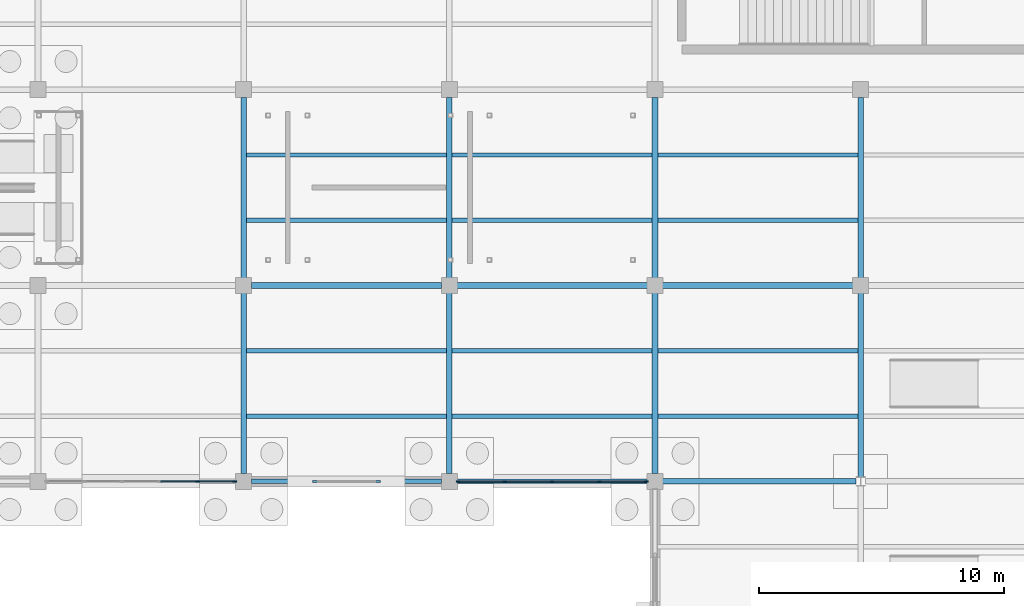
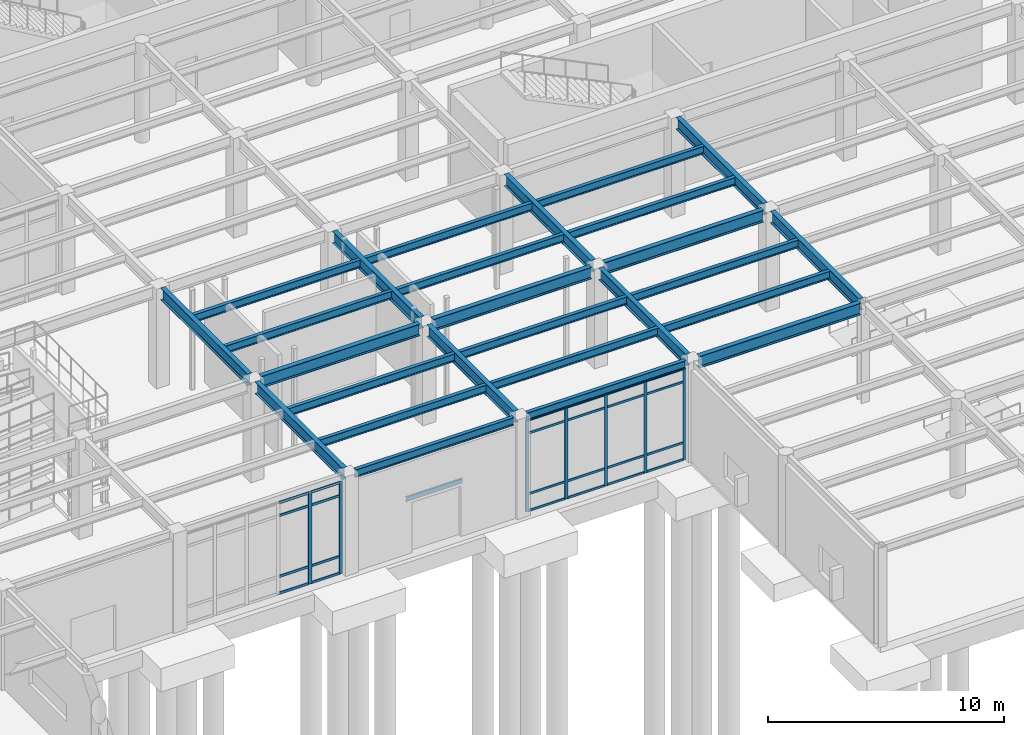
# One storey, part 25 of 138: 31 members, 27 beams, 2 elements without a shape of their own.
"""IFC4 building model written with IfcOpenShell, lengths in metres."""

from ifc_helpers import new_model, si_unit, direction, frame, origin, origin_2d, place, context, subcontext, project, spatial, rectangle, i_section, u_section, extrude, material, layer, layer_set, material_profile, profile_set, type_object, element, aggregate, save


model = new_model("IFC4")

# Units and contexts
model_context = context("Model", 3, precision=1e-05, world=origin(), true_north=direction((0.0, 1.0)))
body_context = subcontext(model_context, "Body", "Model", "MODEL_VIEW")
ifc_project = project(units=[si_unit("LENGTHUNIT", "METRE"), si_unit("AREAUNIT", "SQUARE_METRE"), si_unit("VOLUMEUNIT", "CUBIC_METRE"), si_unit("PLANEANGLEUNIT", "RADIAN"), si_unit("MASSUNIT", "GRAM", prefix="KILO")], contexts=[model_context])

# Site, building, storey
site_placement = place(None, origin())
site = spatial("IfcSite", under=ifc_project, at=site_placement, CompositionType="ELEMENT")
building_placement = place(site_placement, origin())
building = spatial("IfcBuilding", under=site, at=building_placement, Name="Kranzveld Transit Interchange", CompositionType="ELEMENT")
storey_placement = place(building_placement, origin())
storey = spatial("IfcBuildingStorey", under=building, at=storey_placement, Name="L00", CompositionType="ELEMENT", Elevation=0.0)

# Curtain wall, members
ifc_material_1 = material(Name="Bronze-anodised thermally broken aluminium", Category="aluminium")
ifc_layer_1 = layer(ifc_material_1, 0.159912109375)
ifc_layer_set_1 = layer_set([ifc_layer_1], Name="Bronze-anodised thermally broken aluminium")
curtain_wall_type_1 = type_object("IfcCurtainWallType", Name="Bus Boarding Glazed Screen CW-3", PredefinedType="USERDEFINED", material=ifc_layer_set_1)
curtain_wall_1_placement = place(storey_placement, origin())
curtain_wall_1 = element("IfcCurtainWall", 1, at=curtain_wall_1_placement, inside=storey, type_object=curtain_wall_type_1, Name="L00 Curtain Wall 06/C-07/C", ObjectType="CURTAIN WALL", PredefinedType="USERDEFINED")
ifc_material_2 = material(Name="Bronze-anodised thermally broken aluminium", Category="aluminium")
ifc_material_profile_1 = material_profile(ifc_material_2, rectangle(XDim=0.06005859375, YDim=0.14990234375, at=origin_2d()), Name="ALU MULLION 60x150")
ifc_profile_set_1 = profile_set([ifc_material_profile_1], Name="Bronze-anodised thermally broken aluminium")
member_type_1 = type_object("IfcMemberType", Name="Curtain Wall Mullion 60x150 Alu", PredefinedType="MULLION", material=ifc_profile_set_1)
member_1_placement = place(storey_placement, frame((42.35498046875, 16.0, 0.0), z_axis=(0.0, 0.0, 1.0), x_axis=(0.0, 1.0, 0.0)))
member_1 = element("IfcMember", 2, at=member_1_placement, type_object=member_type_1, Name="CW-3 mullion 1", PredefinedType="MULLION", context=body_context, shape_type="SweptSolid", body=[
    extrude(rectangle(XDim=0.06005859375, YDim=0.14990234375, at=origin_2d()), origin(), (0.0, 0.0, 1.0), 4.740478515625),
])
member_2_placement = place(storey_placement, frame((44.262451171875, 16.0, 0.0), z_axis=(0.0, 0.0, 1.0), x_axis=(0.0, 1.0, 0.0)))
member_2 = element("IfcMember", 3, at=member_2_placement, type_object=member_type_1, Name="CW-3 mullion 2", PredefinedType="MULLION", context=body_context, shape_type="SweptSolid", body=[
    extrude(rectangle(XDim=0.06005859375, YDim=0.14990234375, at=origin_2d()), origin(), (0.0, 0.0, 1.0), 4.740478515625),
])
member_3_placement = place(storey_placement, frame((46.199951171875, 16.0, 0.0), z_axis=(0.0, 0.0, 1.0), x_axis=(0.0, 1.0, 0.0)))
member_3 = element("IfcMember", 4, at=member_3_placement, type_object=member_type_1, Name="CW-3 mullion 3", PredefinedType="MULLION", context=body_context, shape_type="SweptSolid", body=[
    extrude(rectangle(XDim=0.06005859375, YDim=0.14990234375, at=origin_2d()), origin(), (0.0, 0.0, 1.0), 4.740478515625),
])
member_4_placement = place(storey_placement, frame((48.137451171875, 16.0, 0.0), z_axis=(0.0, 0.0, 1.0), x_axis=(0.0, 1.0, 0.0)))
member_4 = element("IfcMember", 5, at=member_4_placement, type_object=member_type_1, Name="CW-3 mullion 4", PredefinedType="MULLION", context=body_context, shape_type="SweptSolid", body=[
    extrude(rectangle(XDim=0.06005859375, YDim=0.14990234375, at=origin_2d()), origin(), (0.0, 0.0, 1.0), 4.740478515625),
])
member_5_placement = place(storey_placement, frame((50.044921875, 16.0, 0.0), z_axis=(0.0, 0.0, 1.0), x_axis=(0.0, 1.0, 0.0)))
member_5 = element("IfcMember", 6, at=member_5_placement, type_object=member_type_1, Name="CW-3 mullion 5", PredefinedType="MULLION", context=body_context, shape_type="SweptSolid", body=[
    extrude(rectangle(XDim=0.06005859375, YDim=0.14990234375, at=origin_2d()), origin(), (0.0, 0.0, 1.0), 4.740478515625),
])

ifc_material_3 = material(Name="Bronze-anodised thermally broken aluminium", Category="aluminium")
ifc_layer_2 = layer(ifc_material_3, 0.1650390625)
ifc_layer_set_2 = layer_set([ifc_layer_2], Name="Bronze-anodised thermally broken aluminium")
curtain_wall_type_2 = type_object("IfcCurtainWallType", Name="Sunny Court Arcade Curtain Wall CW-2", PredefinedType="USERDEFINED", material=ifc_layer_set_2)
curtain_wall_2_placement = place(storey_placement, origin())
curtain_wall_2 = element("IfcCurtainWall", 7, at=curtain_wall_2_placement, inside=storey, type_object=curtain_wall_type_2, Name="L00 Curtain Wall 04/C-05/C", ObjectType="CURTAIN WALL", PredefinedType="USERDEFINED")
ifc_material_4 = material(Name="Bronze-anodised thermally broken aluminium", Category="aluminium")
ifc_material_profile_2 = material_profile(ifc_material_4, rectangle(XDim=0.06494140625, YDim=0.1650390625, at=origin_2d()), Name="ALU MULLION 65x165")
ifc_profile_set_2 = profile_set([ifc_material_profile_2], Name="Bronze-anodised thermally broken aluminium")
member_type_2 = type_object("IfcMemberType", Name="Curtain Wall Mullion 65x165 Alu", PredefinedType="MULLION", material=ifc_profile_set_2)
member_6_placement = place(storey_placement, frame((31.72509765625, 16.0, 0.0), z_axis=(0.0, 0.0, 1.0), x_axis=(0.0, 1.0, 0.0)))
member_6 = element("IfcMember", 8, at=member_6_placement, type_object=member_type_2, Name="CW-2 mullion 5", PredefinedType="MULLION", context=body_context, shape_type="SweptSolid", body=[
    extrude(rectangle(XDim=0.06494140625, YDim=0.1650390625, at=origin_2d()), origin(), (0.0, 0.0, 1.0), 4.740478515625),
])
member_7_placement = place(storey_placement, frame((33.242431640625, 16.0, 0.0), z_axis=(0.0, 0.0, 1.0), x_axis=(0.0, 1.0, 0.0)))
member_7 = element("IfcMember", 9, at=member_7_placement, type_object=member_type_2, Name="CW-2 mullion 6", PredefinedType="MULLION", context=body_context, shape_type="SweptSolid", body=[
    extrude(rectangle(XDim=0.06494140625, YDim=0.1650390625, at=origin_2d()), origin(), (0.0, 0.0, 1.0), 4.740478515625),
])

# Member
ifc_material_5 = material(Name="Bronze-anodised thermally broken aluminium", Category="aluminium")
ifc_material_profile_3 = material_profile(ifc_material_5, rectangle(XDim=0.06005859375, YDim=0.110107421875, at=origin_2d()), Name="ALU TRANSOM 60x110")
ifc_profile_set_3 = profile_set([ifc_material_profile_3], Name="Bronze-anodised thermally broken aluminium")
member_type_3 = type_object("IfcMemberType", Name="Curtain Wall Transom 60x110 Alu", PredefinedType="USERDEFINED", material=ifc_profile_set_3)
member_8_placement = place(storey_placement, frame((42.385009765625, 16.0, 0.030029296875), z_axis=(1.0, 0.0, 0.0), x_axis=(0.0, 1.0, 0.0)))
member_8 = element("IfcMember", 10, at=member_8_placement, type_object=member_type_3, Name="CW-3 transom 1.1", ObjectType="TRANSOM", PredefinedType="USERDEFINED", context=body_context, shape_type="SweptSolid", body=[
    extrude(rectangle(XDim=0.06005859375, YDim=0.110107421875, at=origin_2d()), origin(), (0.0, 0.0, 1.0), 1.847412109375),
])

member_9_placement = place(storey_placement, frame((42.385009765625, 16.0, 0.89990234375), z_axis=(1.0, 0.0, 0.0), x_axis=(0.0, 1.0, 0.0)))
member_9 = element("IfcMember", 11, at=member_9_placement, type_object=member_type_3, Name="CW-3 transom 1.2", ObjectType="TRANSOM", PredefinedType="USERDEFINED", context=body_context, shape_type="SweptSolid", body=[
    extrude(rectangle(XDim=0.06005859375, YDim=0.110107421875, at=origin_2d()), origin(), (0.0, 0.0, 1.0), 1.847412109375),
])

member_10_placement = place(storey_placement, frame((42.385009765625, 16.0, 4.04052734375), z_axis=(1.0, 0.0, 0.0), x_axis=(0.0, 1.0, 0.0)))
member_10 = element("IfcMember", 12, at=member_10_placement, type_object=member_type_3, Name="CW-3 transom 1.3", ObjectType="TRANSOM", PredefinedType="USERDEFINED", context=body_context, shape_type="SweptSolid", body=[
    extrude(rectangle(XDim=0.06005859375, YDim=0.110107421875, at=origin_2d()), origin(), (0.0, 0.0, 1.0), 1.847412109375),
])

member_11_placement = place(storey_placement, frame((42.385009765625, 16.0, 4.710693359375), z_axis=(1.0, 0.0, 0.0), x_axis=(0.0, 1.0, 0.0)))
member_11 = element("IfcMember", 13, at=member_11_placement, type_object=member_type_3, Name="CW-3 transom 1.4", ObjectType="TRANSOM", PredefinedType="USERDEFINED", context=body_context, shape_type="SweptSolid", body=[
    extrude(rectangle(XDim=0.06005859375, YDim=0.110107421875, at=origin_2d()), origin(), (0.0, 0.0, 1.0), 1.847412109375),
])

member_12_placement = place(storey_placement, frame((44.29248046875, 16.0, 0.030029296875), z_axis=(1.0, 0.0, 0.0), x_axis=(0.0, 1.0, 0.0)))
member_12 = element("IfcMember", 14, at=member_12_placement, type_object=member_type_3, Name="CW-3 transom 2.1", ObjectType="TRANSOM", PredefinedType="USERDEFINED", context=body_context, shape_type="SweptSolid", body=[
    extrude(rectangle(XDim=0.06005859375, YDim=0.110107421875, at=origin_2d()), origin(), (0.0, 0.0, 1.0), 1.87744140625),
])

member_13_placement = place(storey_placement, frame((44.29248046875, 16.0, 0.89990234375), z_axis=(1.0, 0.0, 0.0), x_axis=(0.0, 1.0, 0.0)))
member_13 = element("IfcMember", 15, at=member_13_placement, type_object=member_type_3, Name="CW-3 transom 2.2", ObjectType="TRANSOM", PredefinedType="USERDEFINED", context=body_context, shape_type="SweptSolid", body=[
    extrude(rectangle(XDim=0.06005859375, YDim=0.110107421875, at=origin_2d()), origin(), (0.0, 0.0, 1.0), 1.87744140625),
])

member_14_placement = place(storey_placement, frame((44.29248046875, 16.0, 4.04052734375), z_axis=(1.0, 0.0, 0.0), x_axis=(0.0, 1.0, 0.0)))
member_14 = element("IfcMember", 16, at=member_14_placement, type_object=member_type_3, Name="CW-3 transom 2.3", ObjectType="TRANSOM", PredefinedType="USERDEFINED", context=body_context, shape_type="SweptSolid", body=[
    extrude(rectangle(XDim=0.06005859375, YDim=0.110107421875, at=origin_2d()), origin(), (0.0, 0.0, 1.0), 1.87744140625),
])

member_15_placement = place(storey_placement, frame((44.29248046875, 16.0, 4.710693359375), z_axis=(1.0, 0.0, 0.0), x_axis=(0.0, 1.0, 0.0)))
member_15 = element("IfcMember", 17, at=member_15_placement, type_object=member_type_3, Name="CW-3 transom 2.4", ObjectType="TRANSOM", PredefinedType="USERDEFINED", context=body_context, shape_type="SweptSolid", body=[
    extrude(rectangle(XDim=0.06005859375, YDim=0.110107421875, at=origin_2d()), origin(), (0.0, 0.0, 1.0), 1.87744140625),
])

member_16_placement = place(storey_placement, frame((46.22998046875, 16.0, 0.030029296875), z_axis=(1.0, 0.0, 0.0), x_axis=(0.0, 1.0, 0.0)))
member_16 = element("IfcMember", 18, at=member_16_placement, type_object=member_type_3, Name="CW-3 transom 3.1", ObjectType="TRANSOM", PredefinedType="USERDEFINED", context=body_context, shape_type="SweptSolid", body=[
    extrude(rectangle(XDim=0.06005859375, YDim=0.110107421875, at=origin_2d()), origin(), (0.0, 0.0, 1.0), 1.87744140625),
])

member_17_placement = place(storey_placement, frame((46.22998046875, 16.0, 0.89990234375), z_axis=(1.0, 0.0, 0.0), x_axis=(0.0, 1.0, 0.0)))
member_17 = element("IfcMember", 19, at=member_17_placement, type_object=member_type_3, Name="CW-3 transom 3.2", ObjectType="TRANSOM", PredefinedType="USERDEFINED", context=body_context, shape_type="SweptSolid", body=[
    extrude(rectangle(XDim=0.06005859375, YDim=0.110107421875, at=origin_2d()), origin(), (0.0, 0.0, 1.0), 1.87744140625),
])

member_18_placement = place(storey_placement, frame((46.22998046875, 16.0, 4.04052734375), z_axis=(1.0, 0.0, 0.0), x_axis=(0.0, 1.0, 0.0)))
member_18 = element("IfcMember", 20, at=member_18_placement, type_object=member_type_3, Name="CW-3 transom 3.3", ObjectType="TRANSOM", PredefinedType="USERDEFINED", context=body_context, shape_type="SweptSolid", body=[
    extrude(rectangle(XDim=0.06005859375, YDim=0.110107421875, at=origin_2d()), origin(), (0.0, 0.0, 1.0), 1.87744140625),
])

member_19_placement = place(storey_placement, frame((46.22998046875, 16.0, 4.710693359375), z_axis=(1.0, 0.0, 0.0), x_axis=(0.0, 1.0, 0.0)))
member_19 = element("IfcMember", 21, at=member_19_placement, type_object=member_type_3, Name="CW-3 transom 3.4", ObjectType="TRANSOM", PredefinedType="USERDEFINED", context=body_context, shape_type="SweptSolid", body=[
    extrude(rectangle(XDim=0.06005859375, YDim=0.110107421875, at=origin_2d()), origin(), (0.0, 0.0, 1.0), 1.87744140625),
])

member_20_placement = place(storey_placement, frame((48.16748046875, 16.0, 0.030029296875), z_axis=(1.0, 0.0, 0.0), x_axis=(0.0, 1.0, 0.0)))
member_20 = element("IfcMember", 22, at=member_20_placement, type_object=member_type_3, Name="CW-3 transom 4.1", ObjectType="TRANSOM", PredefinedType="USERDEFINED", context=body_context, shape_type="SweptSolid", body=[
    extrude(rectangle(XDim=0.06005859375, YDim=0.110107421875, at=origin_2d()), origin(), (0.0, 0.0, 1.0), 1.847412109375),
])

member_21_placement = place(storey_placement, frame((48.16748046875, 16.0, 0.89990234375), z_axis=(1.0, 0.0, 0.0), x_axis=(0.0, 1.0, 0.0)))
member_21 = element("IfcMember", 23, at=member_21_placement, type_object=member_type_3, Name="CW-3 transom 4.2", ObjectType="TRANSOM", PredefinedType="USERDEFINED", context=body_context, shape_type="SweptSolid", body=[
    extrude(rectangle(XDim=0.06005859375, YDim=0.110107421875, at=origin_2d()), origin(), (0.0, 0.0, 1.0), 1.847412109375),
])

member_22_placement = place(storey_placement, frame((48.16748046875, 16.0, 4.04052734375), z_axis=(1.0, 0.0, 0.0), x_axis=(0.0, 1.0, 0.0)))
member_22 = element("IfcMember", 24, at=member_22_placement, type_object=member_type_3, Name="CW-3 transom 4.3", ObjectType="TRANSOM", PredefinedType="USERDEFINED", context=body_context, shape_type="SweptSolid", body=[
    extrude(rectangle(XDim=0.06005859375, YDim=0.110107421875, at=origin_2d()), origin(), (0.0, 0.0, 1.0), 1.847412109375),
])

member_23_placement = place(storey_placement, frame((48.16748046875, 16.0, 4.710693359375), z_axis=(1.0, 0.0, 0.0), x_axis=(0.0, 1.0, 0.0)))
member_23 = element("IfcMember", 25, at=member_23_placement, type_object=member_type_3, Name="CW-3 transom 4.4", ObjectType="TRANSOM", PredefinedType="USERDEFINED", context=body_context, shape_type="SweptSolid", body=[
    extrude(rectangle(XDim=0.06005859375, YDim=0.110107421875, at=origin_2d()), origin(), (0.0, 0.0, 1.0), 1.847412109375),
])

aggregate(curtain_wall_1, [member_1, member_2, member_3, member_4, member_5, member_8, member_9, member_10, member_11, member_12, member_13, member_14, member_15, member_16, member_17, member_18, member_19, member_20, member_21, member_22, member_23])

ifc_material_6 = material(Name="Bronze-anodised thermally broken aluminium", Category="aluminium")
ifc_material_profile_4 = material_profile(ifc_material_6, rectangle(XDim=0.06005859375, YDim=0.125, at=origin_2d()), Name="ALU TRANSOM 60x125")
ifc_profile_set_4 = profile_set([ifc_material_profile_4], Name="Bronze-anodised thermally broken aluminium")
member_type_4 = type_object("IfcMemberType", Name="Curtain Wall Transom 60x125 Alu", PredefinedType="USERDEFINED", material=ifc_profile_set_4)
member_24_placement = place(storey_placement, frame((30.20751953125, 16.0, 0.030029296875), z_axis=(1.0, 0.0, 0.0), x_axis=(0.0, 1.0, 0.0)))
member_24 = element("IfcMember", 26, at=member_24_placement, type_object=member_type_4, Name="CW-2 transom 4.1", ObjectType="TRANSOM", PredefinedType="USERDEFINED", context=body_context, shape_type="SweptSolid", body=[
    extrude(rectangle(XDim=0.06005859375, YDim=0.125, at=origin_2d()), origin(), (0.0, 0.0, 1.0), 1.48486328125),
])

member_25_placement = place(storey_placement, frame((30.20751953125, 16.0, 0.89990234375), z_axis=(1.0, 0.0, 0.0), x_axis=(0.0, 1.0, 0.0)))
member_25 = element("IfcMember", 27, at=member_25_placement, type_object=member_type_4, Name="CW-2 transom 4.2", ObjectType="TRANSOM", PredefinedType="USERDEFINED", context=body_context, shape_type="SweptSolid", body=[
    extrude(rectangle(XDim=0.06005859375, YDim=0.125, at=origin_2d()), origin(), (0.0, 0.0, 1.0), 1.48486328125),
])

member_26_placement = place(storey_placement, frame((30.20751953125, 16.0, 4.04052734375), z_axis=(1.0, 0.0, 0.0), x_axis=(0.0, 1.0, 0.0)))
member_26 = element("IfcMember", 28, at=member_26_placement, type_object=member_type_4, Name="CW-2 transom 4.3", ObjectType="TRANSOM", PredefinedType="USERDEFINED", context=body_context, shape_type="SweptSolid", body=[
    extrude(rectangle(XDim=0.06005859375, YDim=0.125, at=origin_2d()), origin(), (0.0, 0.0, 1.0), 1.48486328125),
])

member_27_placement = place(storey_placement, frame((30.20751953125, 16.0, 4.710693359375), z_axis=(1.0, 0.0, 0.0), x_axis=(0.0, 1.0, 0.0)))
member_27 = element("IfcMember", 29, at=member_27_placement, type_object=member_type_4, Name="CW-2 transom 4.4", ObjectType="TRANSOM", PredefinedType="USERDEFINED", context=body_context, shape_type="SweptSolid", body=[
    extrude(rectangle(XDim=0.06005859375, YDim=0.125, at=origin_2d()), origin(), (0.0, 0.0, 1.0), 1.48486328125),
])

member_28_placement = place(storey_placement, frame((31.757568359375, 16.0, 0.030029296875), z_axis=(1.0, 0.0, 0.0), x_axis=(0.0, 1.0, 0.0)))
member_28 = element("IfcMember", 30, at=member_28_placement, type_object=member_type_4, Name="CW-2 transom 5.1", ObjectType="TRANSOM", PredefinedType="USERDEFINED", context=body_context, shape_type="SweptSolid", body=[
    extrude(rectangle(XDim=0.06005859375, YDim=0.125, at=origin_2d()), origin(), (0.0, 0.0, 1.0), 1.452392578125),
])

member_29_placement = place(storey_placement, frame((31.757568359375, 16.0, 0.89990234375), z_axis=(1.0, 0.0, 0.0), x_axis=(0.0, 1.0, 0.0)))
member_29 = element("IfcMember", 31, at=member_29_placement, type_object=member_type_4, Name="CW-2 transom 5.2", ObjectType="TRANSOM", PredefinedType="USERDEFINED", context=body_context, shape_type="SweptSolid", body=[
    extrude(rectangle(XDim=0.06005859375, YDim=0.125, at=origin_2d()), origin(), (0.0, 0.0, 1.0), 1.452392578125),
])

member_30_placement = place(storey_placement, frame((31.757568359375, 16.0, 4.04052734375), z_axis=(1.0, 0.0, 0.0), x_axis=(0.0, 1.0, 0.0)))
member_30 = element("IfcMember", 32, at=member_30_placement, type_object=member_type_4, Name="CW-2 transom 5.3", ObjectType="TRANSOM", PredefinedType="USERDEFINED", context=body_context, shape_type="SweptSolid", body=[
    extrude(rectangle(XDim=0.06005859375, YDim=0.125, at=origin_2d()), origin(), (0.0, 0.0, 1.0), 1.452392578125),
])

member_31_placement = place(storey_placement, frame((31.757568359375, 16.0, 4.710693359375), z_axis=(1.0, 0.0, 0.0), x_axis=(0.0, 1.0, 0.0)))
member_31 = element("IfcMember", 33, at=member_31_placement, type_object=member_type_4, Name="CW-2 transom 5.4", ObjectType="TRANSOM", PredefinedType="USERDEFINED", context=body_context, shape_type="SweptSolid", body=[
    extrude(rectangle(XDim=0.06005859375, YDim=0.125, at=origin_2d()), origin(), (0.0, 0.0, 1.0), 1.452392578125),
])

aggregate(curtain_wall_2, [member_6, member_7, member_24, member_25, member_26, member_27, member_28, member_29, member_30, member_31])

# Beams
ifc_material_7 = material(Name="Steel S355JR", Category="steel")
ifc_material_profile_5 = material_profile(ifc_material_7, i_section(OverallWidth=0.1787109375, OverallDepth=0.409423828125, WebThickness=0.0087890625, FlangeThickness=0.014404296875, FilletRadius=0.01025390625, at=origin_2d()), Name="UB 406x178x67")
ifc_profile_set_5 = profile_set([ifc_material_profile_5], Name="Steel S355JR")
beam_type_1 = type_object("IfcBeamType", Name="Facade Spandrel UB 406x178x67 S355JR", PredefinedType="SPANDREL", material=ifc_profile_set_5)
for number, where, z_axis, x_axis, name in (
    (34, (33.9150390625, 16.0, 4.9453125), (1.0, 0.0, 0.0), (0.0, 1.0, 0.0), "L00 Girder 05-06/C"),
    (35, (42.31494140625, 16.0, 4.9453125), (1.0, 0.0, 0.0), (0.0, 1.0, 0.0), "L00 Girder 06-07/C"),
):
    element("IfcBeam", number, at=place(storey_placement, frame(where, z_axis=z_axis, x_axis=x_axis)), inside=storey, type_object=beam_type_1, Name=name, PredefinedType="SPANDREL", context=body_context, shape_type="SweptSolid", body=[
        extrude(i_section(OverallWidth=0.1787109375, OverallDepth=0.409423828125, WebThickness=0.0087890625, FlangeThickness=0.014404296875, FilletRadius=0.01025390625, at=origin_2d()), origin(), (0.0, 0.0, 1.0), 7.77001953125),
    ])
ifc_material_8 = material(Name="Steel S355JR", Category="steel")
ifc_material_profile_6 = material_profile(ifc_material_8, i_section(OverallWidth=0.177734375, OverallDepth=0.402587890625, WebThickness=0.0078125, FlangeThickness=0.010986328125, FilletRadius=0.01025390625, at=origin_2d()), Name="UB 406x178x54")
ifc_profile_set_6 = profile_set([ifc_material_profile_6], Name="Steel S355JR")
beam_type_2 = type_object("IfcBeamType", Name="Floor Joist UB 406x178x54 S355JR", PredefinedType="JOIST", material=ifc_profile_set_6)
for number, where, z_axis, x_axis, name in (
    (36, (33.716064453125, 18.666748046875, 4.94873046875), (1.0, 0.0, 0.0), (0.0, 1.0, 0.0), "L00 Secondary Joist 05-06/C.1"),
    (37, (33.716064453125, 21.333251953125, 4.94873046875), (1.0, 0.0, 0.0), (0.0, 1.0, 0.0), "L00 Secondary Joist 05-06/C.2"),
    (38, (33.716064453125, 26.666748046875, 4.94873046875), (1.0, 0.0, 0.0), (0.0, 1.0, 0.0), "L00 Secondary Joist 05-06/D.1"),
    (39, (33.716064453125, 29.333251953125, 4.94873046875), (1.0, 0.0, 0.0), (0.0, 1.0, 0.0), "L00 Secondary Joist 05-06/D.2"),
    (40, (42.1162109375, 18.666748046875, 4.94873046875), (1.0, 0.0, 0.0), (0.0, 1.0, 0.0), "L00 Secondary Joist 06-07/C.1"),
    (41, (42.1162109375, 21.333251953125, 4.94873046875), (1.0, 0.0, 0.0), (0.0, 1.0, 0.0), "L00 Secondary Joist 06-07/C.2"),
    (42, (42.1162109375, 26.666748046875, 4.94873046875), (1.0, 0.0, 0.0), (0.0, 1.0, 0.0), "L00 Secondary Joist 06-07/D.1"),
    (43, (42.1162109375, 29.333251953125, 4.94873046875), (1.0, 0.0, 0.0), (0.0, 1.0, 0.0), "L00 Secondary Joist 06-07/D.2"),
    (44, (50.51611328125, 18.666748046875, 4.94873046875), (1.0, 0.0, 0.0), (0.0, 1.0, 0.0), "L00 Secondary Joist 07-08/C.1"),
    (45, (50.51611328125, 21.333251953125, 4.94873046875), (1.0, 0.0, 0.0), (0.0, 1.0, 0.0), "L00 Secondary Joist 07-08/C.2"),
    (46, (50.51611328125, 26.666748046875, 4.94873046875), (1.0, 0.0, 0.0), (0.0, 1.0, 0.0), "L00 Secondary Joist 07-08/D.1"),
    (47, (50.51611328125, 29.333251953125, 4.94873046875), (1.0, 0.0, 0.0), (0.0, 1.0, 0.0), "L00 Secondary Joist 07-08/D.2"),
):
    element("IfcBeam", number, at=place(storey_placement, frame(where, z_axis=z_axis, x_axis=x_axis)), inside=storey, type_object=beam_type_2, Name=name, PredefinedType="JOIST", context=body_context, shape_type="SweptSolid", body=[
        extrude(i_section(OverallWidth=0.177734375, OverallDepth=0.402587890625, WebThickness=0.0078125, FlangeThickness=0.010986328125, FilletRadius=0.01025390625, at=origin_2d()), origin(), (0.0, 0.0, 1.0), 8.167724609375),
    ])
ifc_material_9 = material(Name="Steel S355JR", Category="steel")
ifc_material_profile_7 = material_profile(ifc_material_9, i_section(OverallWidth=0.228271484375, OverallDepth=0.607666015625, WebThickness=0.010986328125, FlangeThickness=0.017333984375, FilletRadius=0.0126953125, at=origin_2d()), Name="UB 610x229x113")
ifc_profile_set_7 = profile_set([ifc_material_profile_7], Name="Steel S355JR")
beam_type_3 = type_object("IfcBeamType", Name="Girder Steel UB 610x229x113 S355JR", PredefinedType="BEAM", material=ifc_profile_set_7)
for number, where, z_axis, x_axis, name in (
    (48, (33.60009765625, 16.31494140625, 4.84619140625), (0.0, 1.0, 0.0), (-1.0, 0.0, 0.0), "L00 Girder 05/C-D"),
    (49, (33.60009765625, 24.31494140625, 4.84619140625), (0.0, 1.0, 0.0), (-1.0, 0.0, 0.0), "L00 Girder 05/D-E"),
    (50, (42.0, 16.31494140625, 4.84619140625), (0.0, 1.0, 0.0), (-1.0, 0.0, 0.0), "L00 Girder 06/C-D"),
    (51, (42.0, 24.31494140625, 4.84619140625), (0.0, 1.0, 0.0), (-1.0, 0.0, 0.0), "L00 Girder 06/D-E"),
    (52, (50.39990234375, 16.31494140625, 4.84619140625), (0.0, 1.0, 0.0), (-1.0, 0.0, 0.0), "L00 Girder 07/C-D"),
    (53, (50.39990234375, 24.31494140625, 4.84619140625), (0.0, 1.0, 0.0), (-1.0, 0.0, 0.0), "L00 Girder 07/D-E"),
):
    element("IfcBeam", number, at=place(storey_placement, frame(where, z_axis=z_axis, x_axis=x_axis)), inside=storey, type_object=beam_type_3, Name=name, PredefinedType="BEAM", context=body_context, shape_type="SweptSolid", body=[
        extrude(i_section(OverallWidth=0.228271484375, OverallDepth=0.607666015625, WebThickness=0.010986328125, FlangeThickness=0.017333984375, FilletRadius=0.0126953125, at=origin_2d()), origin(), (0.0, 0.0, 1.0), 7.3701171875),
    ])
beam_1_placement = place(storey_placement, frame((58.800048828125, 16.186767578125, 4.84619140625), z_axis=(0.0, 1.0, 0.0), x_axis=(-1.0, 0.0, 0.0)))
element("IfcBeam", 54, at=beam_1_placement, inside=storey, type_object=beam_type_3, Name="L00 Girder 08/C-D", PredefinedType="BEAM", context=body_context, shape_type="SweptSolid", body=[
    extrude(i_section(OverallWidth=0.228271484375, OverallDepth=0.607666015625, WebThickness=0.010986328125, FlangeThickness=0.017333984375, FilletRadius=0.0126953125, at=origin_2d()), origin(), (0.0, 0.0, 1.0), 7.498291015625),
])
beam_2_placement = place(storey_placement, frame((58.800048828125, 24.31494140625, 4.84619140625), z_axis=(0.0, 1.0, 0.0), x_axis=(-1.0, 0.0, 0.0)))
element("IfcBeam", 55, at=beam_2_placement, inside=storey, type_object=beam_type_3, Name="L00 Girder 08/D-E", PredefinedType="BEAM", context=body_context, shape_type="SweptSolid", body=[
    extrude(i_section(OverallWidth=0.228271484375, OverallDepth=0.607666015625, WebThickness=0.010986328125, FlangeThickness=0.017333984375, FilletRadius=0.0126953125, at=origin_2d()), origin(), (0.0, 0.0, 1.0), 7.3701171875),
])
ifc_material_10 = material(Name="Steel S355JR", Category="steel")
ifc_material_profile_8 = material_profile(ifc_material_10, i_section(OverallWidth=0.230224609375, OverallDepth=0.6171875, WebThickness=0.01318359375, FlangeThickness=0.022216796875, FilletRadius=0.0126953125, at=origin_2d()), Name="UB 610x229x140")
ifc_profile_set_8 = profile_set([ifc_material_profile_8], Name="Steel S355JR")
beam_type_4 = type_object("IfcBeamType", Name="Girder Steel UB 610x229x140 S355JR", PredefinedType="BEAM", material=ifc_profile_set_8)
beam_3_placement = place(storey_placement, frame((50.715087890625, 16.0, 4.84130859375), z_axis=(1.0, 0.0, 0.0), x_axis=(0.0, 1.0, 0.0)))
element("IfcBeam", 56, at=beam_3_placement, inside=storey, type_object=beam_type_4, Name="L00 Girder 07-08/C", PredefinedType="BEAM", context=body_context, shape_type="SweptSolid", body=[
    extrude(i_section(OverallWidth=0.230224609375, OverallDepth=0.6171875, WebThickness=0.01318359375, FlangeThickness=0.022216796875, FilletRadius=0.0126953125, at=origin_2d()), origin(), (0.0, 0.0, 1.0), 7.8955078125),
])
for number, where, z_axis, x_axis, name in (
    (57, (33.9150390625, 24.0, 4.84130859375), (1.0, 0.0, 0.0), (0.0, 1.0, 0.0), "L00 Girder 05-06/D"),
    (58, (42.31494140625, 24.0, 4.84130859375), (1.0, 0.0, 0.0), (0.0, 1.0, 0.0), "L00 Girder 06-07/D"),
    (59, (50.715087890625, 24.0, 4.84130859375), (1.0, 0.0, 0.0), (0.0, 1.0, 0.0), "L00 Girder 07-08/D"),
):
    element("IfcBeam", number, at=place(storey_placement, frame(where, z_axis=z_axis, x_axis=x_axis)), inside=storey, type_object=beam_type_4, Name=name, PredefinedType="BEAM", context=body_context, shape_type="SweptSolid", body=[
        extrude(i_section(OverallWidth=0.230224609375, OverallDepth=0.6171875, WebThickness=0.01318359375, FlangeThickness=0.022216796875, FilletRadius=0.0126953125, at=origin_2d()), origin(), (0.0, 0.0, 1.0), 7.77001953125),
    ])
ifc_material_11 = material(Name="Steel S355JR", Category="steel")
ifc_material_profile_9 = material_profile(ifc_material_11, u_section(Depth=0.22998046875, FlangeWidth=0.090087890625, WebThickness=0.007568359375, FlangeThickness=0.013916015625, FilletRadius=0.011962890625, at=origin_2d()), Name="PFC 230x90x32")
ifc_profile_set_9 = profile_set([ifc_material_profile_9], Name="Steel S355JR")
beam_type_5 = type_object("IfcBeamType", Name="Masonry Lintel PFC 230x90x32 S355JR", PredefinedType="LINTEL", material=ifc_profile_set_9)
beam_4_placement = place(storey_placement, frame((36.419921875, 16.0, 2.719970703125), z_axis=(1.0, 0.0, 0.0), x_axis=(0.0, 1.0, 0.0)))
element("IfcBeam", 60, at=beam_4_placement, inside=storey, type_object=beam_type_5, Name="L00 Entrance Door Lintel 013", PredefinedType="LINTEL", context=body_context, shape_type="SweptSolid", body=[
    extrude(u_section(Depth=0.22998046875, FlangeWidth=0.090087890625, WebThickness=0.007568359375, FlangeThickness=0.013916015625, FilletRadius=0.011962890625, at=origin_2d()), origin(), (0.0, 0.0, 1.0), 2.760009765625),
])

save(model, "model.ifc")
